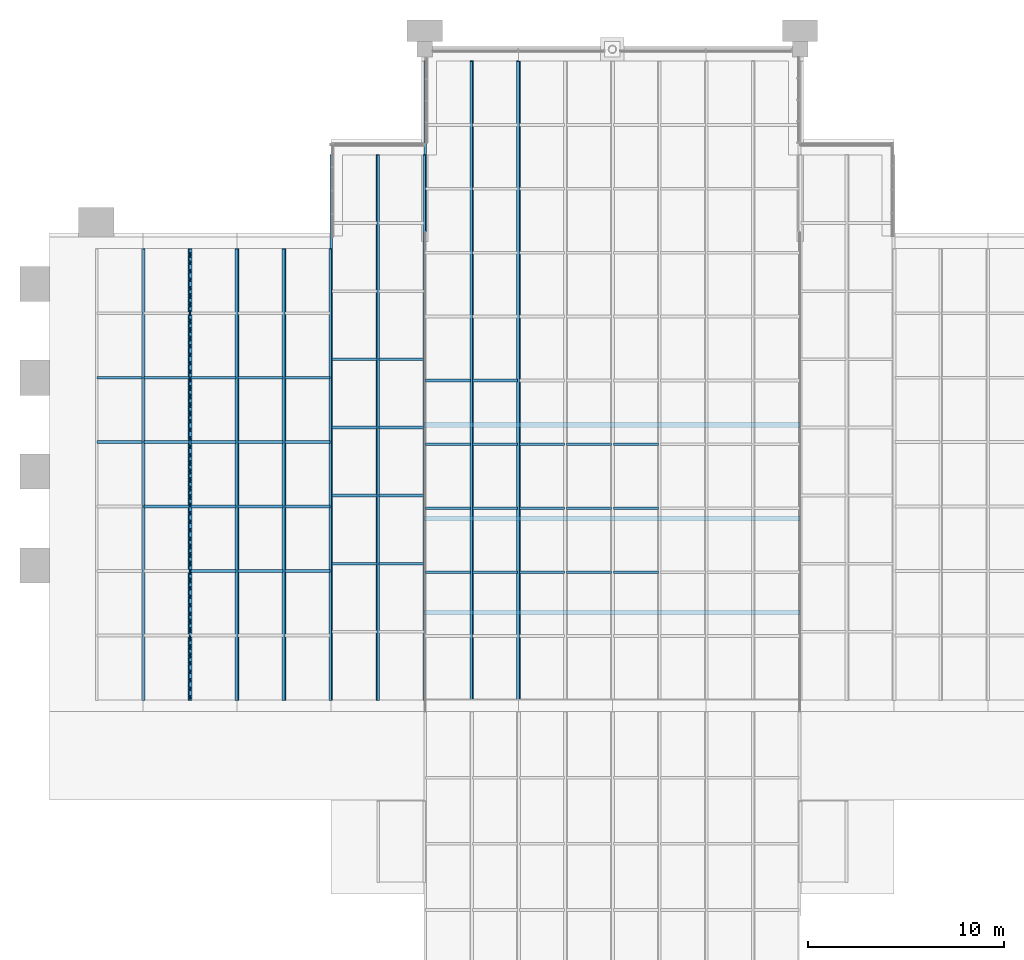
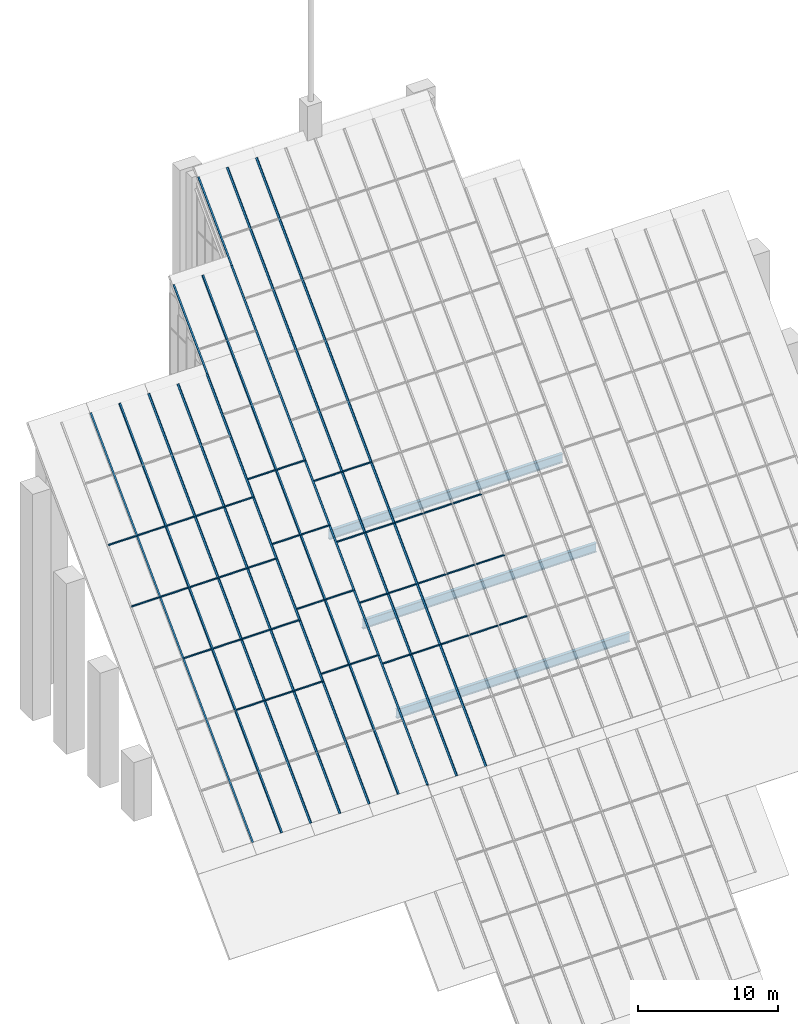
# One storey, part 2 of 25: 59 members, 3 beams, 12 elements without a shape of their own.
"""IFC4 building model written with IfcOpenShell, lengths in metres."""

from ifc_helpers import new_model, si_unit, direction, frame, origin, origin_2d, place, context, subcontext, project, spatial, rectangle, i_section, extrude, material, material_profile, profile_set, type_object, element, aggregate, save


model = new_model("IFC4")

# Units and contexts
model_context = context("Model", 3, precision=1e-05, world=origin(), true_north=direction((0.0, 1.0)))
body_context = subcontext(model_context, "Body", "Model", "MODEL_VIEW")
ifc_project = project(units=[si_unit("LENGTHUNIT", "METRE"), si_unit("AREAUNIT", "SQUARE_METRE"), si_unit("VOLUMEUNIT", "CUBIC_METRE"), si_unit("PLANEANGLEUNIT", "RADIAN"), si_unit("MASSUNIT", "GRAM", prefix="KILO")], contexts=[model_context])

# Site, building, storey
site_placement = place(None, origin())
site = spatial("IfcSite", under=ifc_project, at=site_placement, CompositionType="ELEMENT")
building_placement = place(site_placement, origin())
building = spatial("IfcBuilding", under=site, at=building_placement, Name="Baori Bourse Tower", CompositionType="ELEMENT")
storey_placement = place(building_placement, frame((0.0, 0.0, 378.300048828125)))
storey = spatial("IfcBuildingStorey", under=building, at=storey_placement, Name="Roof", CompositionType="ELEMENT", Elevation=378.300048828125)

# Curtain wall, members
ifc_material_1 = material(Name="Pale anodised aluminium", Category="aluminium")
curtain_wall_type = type_object("IfcCurtainWallType", Name="CW4 Curtain wall", PredefinedType="NOTDEFINED", material=ifc_material_1)
curtain_wall_1_placement = place(storey_placement, origin())
curtain_wall_1 = element("IfcCurtainWall", 1, at=curtain_wall_1_placement, inside=storey, type_object=curtain_wall_type, Name="Curtain wall CW4 roof glazing 2", PredefinedType="NOTDEFINED")
ifc_material_2 = material(Name="Pale anodised aluminium", Category="aluminium")
ifc_material_profile_1 = material_profile(ifc_material_2, rectangle(XDim=0.139892578125, YDim=0.050048828125, at=origin_2d()), Name="Mullion 50x140")
ifc_profile_set_1 = profile_set([ifc_material_profile_1], Name="Pale anodised aluminium")
member_type_1 = type_object("IfcMemberType", Name="CW4 Curtain wall mullion", PredefinedType="MULLION", material=ifc_profile_set_1)
member_1_placement = place(storey_placement, frame((4.824951171875, 14.723388671875, -0.407470703125), z_axis=(0.0, 0.702703210407, 0.711483097539), x_axis=(-1.0, 0.0, 0.0)))
member_1 = element("IfcMember", 2, at=member_1_placement, type_object=member_type_1, Name="Curtain wall CW4 rail 2.1", PredefinedType="MULLION", context=body_context, shape_type="SweptSolid", body=[
    extrude(rectangle(XDim=0.139892578125, YDim=0.050048828125, at=origin_2d()), origin(), (0.0, 0.0, 1.0), 32.83984375),
])
member_2_placement = place(storey_placement, frame((7.175048828125, 14.723388671875, -0.407470703125), z_axis=(0.0, 0.702703210407, 0.711483097539), x_axis=(-1.0, 0.0, 0.0)))
member_2 = element("IfcMember", 3, at=member_2_placement, type_object=member_type_1, Name="Curtain wall CW4 rail 2.2", PredefinedType="MULLION", context=body_context, shape_type="SweptSolid", body=[
    extrude(rectangle(XDim=0.139892578125, YDim=0.050048828125, at=origin_2d()), origin(), (0.0, 0.0, 1.0), 32.83984375),
])

curtain_wall_2_placement = place(storey_placement, origin())
curtain_wall_2 = element("IfcCurtainWall", 4, at=curtain_wall_2_placement, inside=storey, type_object=curtain_wall_type, Name="Curtain wall CW4 roof glazing 3", PredefinedType="NOTDEFINED")
member_3_placement = place(storey_placement, frame((7.22509765625, 14.723388671875, -0.407470703125), z_axis=(0.0, 0.702703210407, 0.711483097539), x_axis=(-1.0, 0.0, 0.0)))
member_3 = element("IfcMember", 5, at=member_3_placement, type_object=member_type_1, Name="Curtain wall CW4 rail 3.1", PredefinedType="MULLION", context=body_context, shape_type="SweptSolid", body=[
    extrude(rectangle(XDim=0.139892578125, YDim=0.050048828125, at=origin_2d()), origin(), (0.0, 0.0, 1.0), 32.83984375),
])
member_4_placement = place(storey_placement, frame((9.574951171875, 14.723388671875, -0.407470703125), z_axis=(0.0, 0.702703210407, 0.711483097539), x_axis=(-1.0, 0.0, 0.0)))
member_4 = element("IfcMember", 6, at=member_4_placement, type_object=member_type_1, Name="Curtain wall CW4 rail 3.2", PredefinedType="MULLION", context=body_context, shape_type="SweptSolid", body=[
    extrude(rectangle(XDim=0.139892578125, YDim=0.050048828125, at=origin_2d()), origin(), (0.0, 0.0, 1.0), 32.83984375),
])

curtain_wall_3_placement = place(storey_placement, origin())
curtain_wall_3 = element("IfcCurtainWall", 7, at=curtain_wall_3_placement, inside=storey, type_object=curtain_wall_type, Name="Curtain wall CW4 roof glazing 4", PredefinedType="NOTDEFINED")
member_5_placement = place(storey_placement, frame((9.625, 14.723388671875, -0.407470703125), z_axis=(0.0, 0.702703210407, 0.711483097539), x_axis=(-1.0, 0.0, 0.0)))
member_5 = element("IfcMember", 8, at=member_5_placement, type_object=member_type_1, Name="Curtain wall CW4 rail 4.1", PredefinedType="MULLION", context=body_context, shape_type="SweptSolid", body=[
    extrude(rectangle(XDim=0.139892578125, YDim=0.050048828125, at=origin_2d()), origin(), (0.0, 0.0, 1.0), 32.83984375),
])
member_6_placement = place(storey_placement, frame((11.97509765625, 14.723388671875, -0.407470703125), z_axis=(0.0, 0.702703210407, 0.711483097539), x_axis=(-1.0, 0.0, 0.0)))
member_6 = element("IfcMember", 9, at=member_6_placement, type_object=member_type_1, Name="Curtain wall CW4 rail 4.2", PredefinedType="MULLION", context=body_context, shape_type="SweptSolid", body=[
    extrude(rectangle(XDim=0.139892578125, YDim=0.050048828125, at=origin_2d()), origin(), (0.0, 0.0, 1.0), 32.83984375),
])

curtain_wall_4_placement = place(storey_placement, origin())
curtain_wall_4 = element("IfcCurtainWall", 10, at=curtain_wall_4_placement, inside=storey, type_object=curtain_wall_type, Name="Curtain wall CW4 roof glazing 5", PredefinedType="NOTDEFINED")
member_7_placement = place(storey_placement, frame((12.02490234375, 14.723388671875, -0.407470703125), z_axis=(0.0, 0.702703210407, 0.711483097539), x_axis=(-1.0, 0.0, 0.0)))
member_7 = element("IfcMember", 11, at=member_7_placement, type_object=member_type_1, Name="Curtain wall CW4 rail 5.1", PredefinedType="MULLION", context=body_context, shape_type="SweptSolid", body=[
    extrude(rectangle(XDim=0.139892578125, YDim=0.050048828125, at=origin_2d()), origin(), (0.0, 0.0, 1.0), 32.83984375),
])
member_8_placement = place(storey_placement, frame((14.375, 14.723388671875, -0.407470703125), z_axis=(0.0, 0.702703210407, 0.711483097539), x_axis=(-1.0, 0.0, 0.0)))
member_8 = element("IfcMember", 12, at=member_8_placement, type_object=member_type_1, Name="Curtain wall CW4 rail 5.2", PredefinedType="MULLION", context=body_context, shape_type="SweptSolid", body=[
    extrude(rectangle(XDim=0.139892578125, YDim=0.050048828125, at=origin_2d()), origin(), (0.0, 0.0, 1.0), 32.83984375),
])

curtain_wall_5_placement = place(storey_placement, origin())
curtain_wall_5 = element("IfcCurtainWall", 13, at=curtain_wall_5_placement, inside=storey, type_object=curtain_wall_type, Name="Curtain wall CW4 roof glazing 6", PredefinedType="NOTDEFINED")
member_9_placement = place(storey_placement, frame((14.425048828125, 14.723388671875, -0.407470703125), z_axis=(0.0, 0.702705220512, 0.711481112234), x_axis=(-1.0, 0.0, 0.0)))
member_9 = element("IfcMember", 14, at=member_9_placement, type_object=member_type_1, Name="Curtain wall CW4 rail 6.1", PredefinedType="MULLION", context=body_context, shape_type="SweptSolid", body=[
    extrude(rectangle(XDim=0.139892578125, YDim=0.050048828125, at=origin_2d()), origin(), (0.0, 0.0, 1.0), 39.670654296875),
])
member_10_placement = place(storey_placement, frame((16.77490234375, 14.723388671875, -0.407470703125), z_axis=(0.0, 0.702705220512, 0.711481112234), x_axis=(-1.0, 0.0, 0.0)))
member_10 = element("IfcMember", 15, at=member_10_placement, type_object=member_type_1, Name="Curtain wall CW4 rail 6.2", PredefinedType="MULLION", context=body_context, shape_type="SweptSolid", body=[
    extrude(rectangle(XDim=0.139892578125, YDim=0.050048828125, at=origin_2d()), origin(), (0.0, 0.0, 1.0), 39.670654296875),
])

curtain_wall_6_placement = place(storey_placement, origin())
curtain_wall_6 = element("IfcCurtainWall", 16, at=curtain_wall_6_placement, inside=storey, type_object=curtain_wall_type, Name="Curtain wall CW4 roof glazing 7", PredefinedType="NOTDEFINED")
member_11_placement = place(storey_placement, frame((16.824951171875, 14.723388671875, -0.407470703125), z_axis=(0.0, 0.702705220512, 0.711481112234), x_axis=(-1.0, 0.0, 0.0)))
member_11 = element("IfcMember", 17, at=member_11_placement, type_object=member_type_1, Name="Curtain wall CW4 rail 7.1", PredefinedType="MULLION", context=body_context, shape_type="SweptSolid", body=[
    extrude(rectangle(XDim=0.139892578125, YDim=0.050048828125, at=origin_2d()), origin(), (0.0, 0.0, 1.0), 39.670654296875),
])
member_12_placement = place(storey_placement, frame((19.175048828125, 14.723388671875, -0.407470703125), z_axis=(0.0, 0.702705220512, 0.711481112234), x_axis=(-1.0, 0.0, 0.0)))
member_12 = element("IfcMember", 18, at=member_12_placement, type_object=member_type_1, Name="Curtain wall CW4 rail 7.2", PredefinedType="MULLION", context=body_context, shape_type="SweptSolid", body=[
    extrude(rectangle(XDim=0.139892578125, YDim=0.050048828125, at=origin_2d()), origin(), (0.0, 0.0, 1.0), 39.670654296875),
])

curtain_wall_7_placement = place(storey_placement, origin())
curtain_wall_7 = element("IfcCurtainWall", 19, at=curtain_wall_7_placement, inside=storey, type_object=curtain_wall_type, Name="Curtain wall CW4 roof glazing 9", PredefinedType="NOTDEFINED")
member_13_placement = place(storey_placement, frame((19.22509765625, 14.723388671875, -0.492919921875), z_axis=(0.0, 0.702701357495, 0.711484927581), x_axis=(-1.0, 0.0, 0.0)))
member_13 = element("IfcMember", 20, at=member_13_placement, type_object=member_type_1, Name="Curtain wall CW4 rail 9.1", PredefinedType="MULLION", context=body_context, shape_type="SweptSolid", body=[
    extrude(rectangle(XDim=0.139892578125, YDim=0.050048828125, at=origin_2d()), origin(), (0.0, 0.0, 1.0), 46.501220703125),
])
member_14_placement = place(storey_placement, frame((21.574951171875, 14.723388671875, -0.492919921875), z_axis=(0.0, 0.702701357495, 0.711484927581), x_axis=(-1.0, 0.0, 0.0)))
member_14 = element("IfcMember", 21, at=member_14_placement, type_object=member_type_1, Name="Curtain wall CW4 rail 9.2", PredefinedType="MULLION", context=body_context, shape_type="SweptSolid", body=[
    extrude(rectangle(XDim=0.139892578125, YDim=0.050048828125, at=origin_2d()), origin(), (0.0, 0.0, 1.0), 46.501220703125),
])

curtain_wall_8_placement = place(storey_placement, origin())
curtain_wall_8 = element("IfcCurtainWall", 22, at=curtain_wall_8_placement, inside=storey, type_object=curtain_wall_type, Name="Curtain wall CW4 roof glazing 11", PredefinedType="NOTDEFINED")
member_15_placement = place(storey_placement, frame((21.625, 14.723388671875, -0.492919921875), z_axis=(0.0, 0.702701357495, 0.711484927581), x_axis=(-1.0, 0.0, 0.0)))
member_15 = element("IfcMember", 23, at=member_15_placement, type_object=member_type_1, Name="Curtain wall CW4 rail 11.1", PredefinedType="MULLION", context=body_context, shape_type="SweptSolid", body=[
    extrude(rectangle(XDim=0.139892578125, YDim=0.050048828125, at=origin_2d()), origin(), (0.0, 0.0, 1.0), 46.501220703125),
])
member_16_placement = place(storey_placement, frame((23.97509765625, 14.723388671875, -0.492919921875), z_axis=(0.0, 0.702701357495, 0.711484927581), x_axis=(-1.0, 0.0, 0.0)))
member_16 = element("IfcMember", 24, at=member_16_placement, type_object=member_type_1, Name="Curtain wall CW4 rail 11.2", PredefinedType="MULLION", context=body_context, shape_type="SweptSolid", body=[
    extrude(rectangle(XDim=0.139892578125, YDim=0.050048828125, at=origin_2d()), origin(), (0.0, 0.0, 1.0), 46.501220703125),
])

# Curtain wall, member
curtain_wall_9_placement = place(storey_placement, origin())
curtain_wall_9 = element("IfcCurtainWall", 25, at=curtain_wall_9_placement, inside=storey, type_object=curtain_wall_type, Name="Curtain wall CW4 roof glazing 13", PredefinedType="NOTDEFINED")
member_17_placement = place(storey_placement, frame((24.02490234375, 14.723388671875, -0.492919921875), z_axis=(0.0, 0.702701357495, 0.711484927581), x_axis=(-1.0, 0.0, 0.0)))
member_17 = element("IfcMember", 26, at=member_17_placement, type_object=member_type_1, Name="Curtain wall CW4 rail 13.1", PredefinedType="MULLION", context=body_context, shape_type="SweptSolid", body=[
    extrude(rectangle(XDim=0.139892578125, YDim=0.050048828125, at=origin_2d()), origin(), (0.0, 0.0, 1.0), 46.501220703125),
])

# Curtain wall, members
curtain_wall_10_placement = place(storey_placement, origin())
curtain_wall_10 = element("IfcCurtainWall", 27, at=curtain_wall_10_placement, inside=storey, type_object=curtain_wall_type, Name="Curtain wall CW4 roof glazing 1", PredefinedType="NOTDEFINED")
ifc_material_3 = material(Name="Pale anodised aluminium", Category="aluminium")
ifc_material_profile_2 = material_profile(ifc_material_3, rectangle(XDim=0.139892578125, YDim=0.054931640625, at=origin_2d()), Name="Transom 55x140")
ifc_profile_set_2 = profile_set([ifc_material_profile_2], Name="Pale anodised aluminium")
member_type_2 = type_object("IfcMemberType", Name="CW4 Curtain wall transom", PredefinedType="USERDEFINED", material=ifc_profile_set_2)
member_18_placement = place(storey_placement, frame((2.449951171875, 27.91015625, 12.94384765625), z_axis=(1.0, 0.0, 0.0), x_axis=(0.0, 1.0, 0.0)))
member_18 = element("IfcMember", 28, at=member_18_placement, type_object=member_type_2, Name="Curtain wall CW4 cross bar 1.4", ObjectType="TRANSOM", PredefinedType="USERDEFINED", context=body_context, shape_type="SweptSolid", body=[
    extrude(rectangle(XDim=0.139892578125, YDim=0.054931640625, at=origin_2d()), origin(), (0.0, 0.0, 1.0), 2.300048828125),
])
member_19_placement = place(storey_placement, frame((2.449951171875, 31.206787109375, 16.28173828125), z_axis=(1.0, 0.0, 0.0), x_axis=(0.0, 1.0, 0.0)))
member_19 = element("IfcMember", 29, at=member_19_placement, type_object=member_type_2, Name="Curtain wall CW4 cross bar 1.5", ObjectType="TRANSOM", PredefinedType="USERDEFINED", context=body_context, shape_type="SweptSolid", body=[
    extrude(rectangle(XDim=0.139892578125, YDim=0.054931640625, at=origin_2d()), origin(), (0.0, 0.0, 1.0), 2.300048828125),
])
aggregate(curtain_wall_10, [member_18, member_19])

# Member
member_20_placement = place(storey_placement, frame((4.85009765625, 24.613525390625, 9.60595703125), z_axis=(1.0, 0.0, 0.0), x_axis=(0.0, 1.0, 0.0)))
member_20 = element("IfcMember", 30, at=member_20_placement, type_object=member_type_2, Name="Curtain wall CW4 cross bar 2.3", ObjectType="TRANSOM", PredefinedType="USERDEFINED", context=body_context, shape_type="SweptSolid", body=[
    extrude(rectangle(XDim=0.139892578125, YDim=0.054931640625, at=origin_2d()), origin(), (0.0, 0.0, 1.0), 2.2998046875),
])

member_21_placement = place(storey_placement, frame((4.85009765625, 27.91015625, 12.94384765625), z_axis=(1.0, 0.0, 0.0), x_axis=(0.0, 1.0, 0.0)))
member_21 = element("IfcMember", 31, at=member_21_placement, type_object=member_type_2, Name="Curtain wall CW4 cross bar 2.4", ObjectType="TRANSOM", PredefinedType="USERDEFINED", context=body_context, shape_type="SweptSolid", body=[
    extrude(rectangle(XDim=0.139892578125, YDim=0.054931640625, at=origin_2d()), origin(), (0.0, 0.0, 1.0), 2.2998046875),
])

member_22_placement = place(storey_placement, frame((4.85009765625, 31.206787109375, 16.28173828125), z_axis=(1.0, 0.0, 0.0), x_axis=(0.0, 1.0, 0.0)))
member_22 = element("IfcMember", 32, at=member_22_placement, type_object=member_type_2, Name="Curtain wall CW4 cross bar 2.5", ObjectType="TRANSOM", PredefinedType="USERDEFINED", context=body_context, shape_type="SweptSolid", body=[
    extrude(rectangle(XDim=0.139892578125, YDim=0.054931640625, at=origin_2d()), origin(), (0.0, 0.0, 1.0), 2.2998046875),
])

aggregate(curtain_wall_1, [member_1, member_2, member_20, member_21, member_22])

member_23_placement = place(storey_placement, frame((7.25, 21.316650390625, 6.26806640625), z_axis=(1.0, 0.0, 0.0), x_axis=(0.0, 1.0, 0.0)))
member_23 = element("IfcMember", 33, at=member_23_placement, type_object=member_type_2, Name="Curtain wall CW4 cross bar 3.2", ObjectType="TRANSOM", PredefinedType="USERDEFINED", context=body_context, shape_type="SweptSolid", body=[
    extrude(rectangle(XDim=0.139892578125, YDim=0.054931640625, at=origin_2d()), origin(), (0.0, 0.0, 1.0), 2.300048828125),
])

member_24_placement = place(storey_placement, frame((7.25, 24.613525390625, 9.60595703125), z_axis=(1.0, 0.0, 0.0), x_axis=(0.0, 1.0, 0.0)))
member_24 = element("IfcMember", 34, at=member_24_placement, type_object=member_type_2, Name="Curtain wall CW4 cross bar 3.3", ObjectType="TRANSOM", PredefinedType="USERDEFINED", context=body_context, shape_type="SweptSolid", body=[
    extrude(rectangle(XDim=0.139892578125, YDim=0.054931640625, at=origin_2d()), origin(), (0.0, 0.0, 1.0), 2.300048828125),
])

member_25_placement = place(storey_placement, frame((7.25, 27.91015625, 12.94384765625), z_axis=(1.0, 0.0, 0.0), x_axis=(0.0, 1.0, 0.0)))
member_25 = element("IfcMember", 35, at=member_25_placement, type_object=member_type_2, Name="Curtain wall CW4 cross bar 3.4", ObjectType="TRANSOM", PredefinedType="USERDEFINED", context=body_context, shape_type="SweptSolid", body=[
    extrude(rectangle(XDim=0.139892578125, YDim=0.054931640625, at=origin_2d()), origin(), (0.0, 0.0, 1.0), 2.300048828125),
])

member_26_placement = place(storey_placement, frame((7.25, 31.206787109375, 16.28173828125), z_axis=(1.0, 0.0, 0.0), x_axis=(0.0, 1.0, 0.0)))
member_26 = element("IfcMember", 36, at=member_26_placement, type_object=member_type_2, Name="Curtain wall CW4 cross bar 3.5", ObjectType="TRANSOM", PredefinedType="USERDEFINED", context=body_context, shape_type="SweptSolid", body=[
    extrude(rectangle(XDim=0.139892578125, YDim=0.054931640625, at=origin_2d()), origin(), (0.0, 0.0, 1.0), 2.300048828125),
])

aggregate(curtain_wall_2, [member_3, member_4, member_23, member_24, member_25, member_26])

member_27_placement = place(storey_placement, frame((9.64990234375, 21.316650390625, 6.26806640625), z_axis=(1.0, 0.0, 0.0), x_axis=(0.0, 1.0, 0.0)))
member_27 = element("IfcMember", 37, at=member_27_placement, type_object=member_type_2, Name="Curtain wall CW4 cross bar 4.2", ObjectType="TRANSOM", PredefinedType="USERDEFINED", context=body_context, shape_type="SweptSolid", body=[
    extrude(rectangle(XDim=0.139892578125, YDim=0.054931640625, at=origin_2d()), origin(), (0.0, 0.0, 1.0), 2.300048828125),
])

member_28_placement = place(storey_placement, frame((9.64990234375, 24.613525390625, 9.60595703125), z_axis=(1.0, 0.0, 0.0), x_axis=(0.0, 1.0, 0.0)))
member_28 = element("IfcMember", 38, at=member_28_placement, type_object=member_type_2, Name="Curtain wall CW4 cross bar 4.3", ObjectType="TRANSOM", PredefinedType="USERDEFINED", context=body_context, shape_type="SweptSolid", body=[
    extrude(rectangle(XDim=0.139892578125, YDim=0.054931640625, at=origin_2d()), origin(), (0.0, 0.0, 1.0), 2.300048828125),
])

member_29_placement = place(storey_placement, frame((9.64990234375, 27.91015625, 12.94384765625), z_axis=(1.0, 0.0, 0.0), x_axis=(0.0, 1.0, 0.0)))
member_29 = element("IfcMember", 39, at=member_29_placement, type_object=member_type_2, Name="Curtain wall CW4 cross bar 4.4", ObjectType="TRANSOM", PredefinedType="USERDEFINED", context=body_context, shape_type="SweptSolid", body=[
    extrude(rectangle(XDim=0.139892578125, YDim=0.054931640625, at=origin_2d()), origin(), (0.0, 0.0, 1.0), 2.300048828125),
])

member_30_placement = place(storey_placement, frame((9.64990234375, 31.206787109375, 16.28173828125), z_axis=(1.0, 0.0, 0.0), x_axis=(0.0, 1.0, 0.0)))
member_30 = element("IfcMember", 40, at=member_30_placement, type_object=member_type_2, Name="Curtain wall CW4 cross bar 4.5", ObjectType="TRANSOM", PredefinedType="USERDEFINED", context=body_context, shape_type="SweptSolid", body=[
    extrude(rectangle(XDim=0.139892578125, YDim=0.054931640625, at=origin_2d()), origin(), (0.0, 0.0, 1.0), 2.300048828125),
])

aggregate(curtain_wall_3, [member_5, member_6, member_27, member_28, member_29, member_30])

member_31_placement = place(storey_placement, frame((12.050048828125, 21.316650390625, 6.26806640625), z_axis=(1.0, 0.0, 0.0), x_axis=(0.0, 1.0, 0.0)))
member_31 = element("IfcMember", 41, at=member_31_placement, type_object=member_type_2, Name="Curtain wall CW4 cross bar 5.2", ObjectType="TRANSOM", PredefinedType="USERDEFINED", context=body_context, shape_type="SweptSolid", body=[
    extrude(rectangle(XDim=0.139892578125, YDim=0.054931640625, at=origin_2d()), origin(), (0.0, 0.0, 1.0), 2.300048828125),
])

member_32_placement = place(storey_placement, frame((12.050048828125, 24.613525390625, 9.60595703125), z_axis=(1.0, 0.0, 0.0), x_axis=(0.0, 1.0, 0.0)))
member_32 = element("IfcMember", 42, at=member_32_placement, type_object=member_type_2, Name="Curtain wall CW4 cross bar 5.3", ObjectType="TRANSOM", PredefinedType="USERDEFINED", context=body_context, shape_type="SweptSolid", body=[
    extrude(rectangle(XDim=0.139892578125, YDim=0.054931640625, at=origin_2d()), origin(), (0.0, 0.0, 1.0), 2.300048828125),
])

member_33_placement = place(storey_placement, frame((12.050048828125, 27.91015625, 12.94384765625), z_axis=(1.0, 0.0, 0.0), x_axis=(0.0, 1.0, 0.0)))
member_33 = element("IfcMember", 43, at=member_33_placement, type_object=member_type_2, Name="Curtain wall CW4 cross bar 5.4", ObjectType="TRANSOM", PredefinedType="USERDEFINED", context=body_context, shape_type="SweptSolid", body=[
    extrude(rectangle(XDim=0.139892578125, YDim=0.054931640625, at=origin_2d()), origin(), (0.0, 0.0, 1.0), 2.300048828125),
])

member_34_placement = place(storey_placement, frame((12.050048828125, 31.206787109375, 16.28173828125), z_axis=(1.0, 0.0, 0.0), x_axis=(0.0, 1.0, 0.0)))
member_34 = element("IfcMember", 44, at=member_34_placement, type_object=member_type_2, Name="Curtain wall CW4 cross bar 5.5", ObjectType="TRANSOM", PredefinedType="USERDEFINED", context=body_context, shape_type="SweptSolid", body=[
    extrude(rectangle(XDim=0.139892578125, YDim=0.054931640625, at=origin_2d()), origin(), (0.0, 0.0, 1.0), 2.300048828125),
])

aggregate(curtain_wall_4, [member_7, member_8, member_31, member_32, member_33, member_34])

member_35_placement = place(storey_placement, frame((14.449951171875, 21.692626953125, 6.648681640625), z_axis=(1.0, 0.0, 0.0), x_axis=(0.0, 1.0, 0.0)))
member_35 = element("IfcMember", 45, at=member_35_placement, type_object=member_type_2, Name="Curtain wall CW4 cross bar 6.2", ObjectType="TRANSOM", PredefinedType="USERDEFINED", context=body_context, shape_type="SweptSolid", body=[
    extrude(rectangle(XDim=0.139892578125, YDim=0.054931640625, at=origin_2d()), origin(), (0.0, 0.0, 1.0), 2.300048828125),
])

member_36_placement = place(storey_placement, frame((14.449951171875, 25.17724609375, 10.1767578125), z_axis=(1.0, 0.0, 0.0), x_axis=(0.0, 1.0, 0.0)))
member_36 = element("IfcMember", 46, at=member_36_placement, type_object=member_type_2, Name="Curtain wall CW4 cross bar 6.3", ObjectType="TRANSOM", PredefinedType="USERDEFINED", context=body_context, shape_type="SweptSolid", body=[
    extrude(rectangle(XDim=0.139892578125, YDim=0.054931640625, at=origin_2d()), origin(), (0.0, 0.0, 1.0), 2.300048828125),
])

member_37_placement = place(storey_placement, frame((14.449951171875, 28.66162109375, 13.704833984375), z_axis=(1.0, 0.0, 0.0), x_axis=(0.0, 1.0, 0.0)))
member_37 = element("IfcMember", 47, at=member_37_placement, type_object=member_type_2, Name="Curtain wall CW4 cross bar 6.4", ObjectType="TRANSOM", PredefinedType="USERDEFINED", context=body_context, shape_type="SweptSolid", body=[
    extrude(rectangle(XDim=0.139892578125, YDim=0.054931640625, at=origin_2d()), origin(), (0.0, 0.0, 1.0), 2.300048828125),
])

member_38_placement = place(storey_placement, frame((14.449951171875, 32.146240234375, 17.233154296875), z_axis=(1.0, 0.0, 0.0), x_axis=(0.0, 1.0, 0.0)))
member_38 = element("IfcMember", 48, at=member_38_placement, type_object=member_type_2, Name="Curtain wall CW4 cross bar 6.5", ObjectType="TRANSOM", PredefinedType="USERDEFINED", context=body_context, shape_type="SweptSolid", body=[
    extrude(rectangle(XDim=0.139892578125, YDim=0.054931640625, at=origin_2d()), origin(), (0.0, 0.0, 1.0), 2.300048828125),
])

aggregate(curtain_wall_5, [member_9, member_10, member_35, member_36, member_37, member_38])

member_39_placement = place(storey_placement, frame((16.85009765625, 21.692626953125, 6.648681640625), z_axis=(1.0, 0.0, 0.0), x_axis=(0.0, 1.0, 0.0)))
member_39 = element("IfcMember", 49, at=member_39_placement, type_object=member_type_2, Name="Curtain wall CW4 cross bar 7.2", ObjectType="TRANSOM", PredefinedType="USERDEFINED", context=body_context, shape_type="SweptSolid", body=[
    extrude(rectangle(XDim=0.139892578125, YDim=0.054931640625, at=origin_2d()), origin(), (0.0, 0.0, 1.0), 2.2998046875),
])

member_40_placement = place(storey_placement, frame((16.85009765625, 25.17724609375, 10.1767578125), z_axis=(1.0, 0.0, 0.0), x_axis=(0.0, 1.0, 0.0)))
member_40 = element("IfcMember", 50, at=member_40_placement, type_object=member_type_2, Name="Curtain wall CW4 cross bar 7.3", ObjectType="TRANSOM", PredefinedType="USERDEFINED", context=body_context, shape_type="SweptSolid", body=[
    extrude(rectangle(XDim=0.139892578125, YDim=0.054931640625, at=origin_2d()), origin(), (0.0, 0.0, 1.0), 2.2998046875),
])

member_41_placement = place(storey_placement, frame((16.85009765625, 28.66162109375, 13.704833984375), z_axis=(1.0, 0.0, 0.0), x_axis=(0.0, 1.0, 0.0)))
member_41 = element("IfcMember", 51, at=member_41_placement, type_object=member_type_2, Name="Curtain wall CW4 cross bar 7.4", ObjectType="TRANSOM", PredefinedType="USERDEFINED", context=body_context, shape_type="SweptSolid", body=[
    extrude(rectangle(XDim=0.139892578125, YDim=0.054931640625, at=origin_2d()), origin(), (0.0, 0.0, 1.0), 2.2998046875),
])

member_42_placement = place(storey_placement, frame((16.85009765625, 32.146240234375, 17.233154296875), z_axis=(1.0, 0.0, 0.0), x_axis=(0.0, 1.0, 0.0)))
member_42 = element("IfcMember", 52, at=member_42_placement, type_object=member_type_2, Name="Curtain wall CW4 cross bar 7.5", ObjectType="TRANSOM", PredefinedType="USERDEFINED", context=body_context, shape_type="SweptSolid", body=[
    extrude(rectangle(XDim=0.139892578125, YDim=0.054931640625, at=origin_2d()), origin(), (0.0, 0.0, 1.0), 2.2998046875),
])

aggregate(curtain_wall_6, [member_11, member_12, member_39, member_40, member_41, member_42])

member_43_placement = place(storey_placement, frame((19.25, 21.2587890625, 6.1240234375), z_axis=(1.0, 0.0, 0.0), x_axis=(0.0, 1.0, 0.0)))
member_43 = element("IfcMember", 53, at=member_43_placement, type_object=member_type_2, Name="Curtain wall CW4 cross bar 9.2", ObjectType="TRANSOM", PredefinedType="USERDEFINED", context=body_context, shape_type="SweptSolid", body=[
    extrude(rectangle(XDim=0.139892578125, YDim=0.054931640625, at=origin_2d()), origin(), (0.0, 0.0, 1.0), 2.300048828125),
])

member_44_placement = place(storey_placement, frame((19.25, 24.5263671875, 9.4326171875), z_axis=(1.0, 0.0, 0.0), x_axis=(0.0, 1.0, 0.0)))
member_44 = element("IfcMember", 54, at=member_44_placement, type_object=member_type_2, Name="Curtain wall CW4 cross bar 9.3", ObjectType="TRANSOM", PredefinedType="USERDEFINED", context=body_context, shape_type="SweptSolid", body=[
    extrude(rectangle(XDim=0.139892578125, YDim=0.054931640625, at=origin_2d()), origin(), (0.0, 0.0, 1.0), 2.300048828125),
])

member_45_placement = place(storey_placement, frame((19.25, 27.794189453125, 12.740966796875), z_axis=(1.0, 0.0, 0.0), x_axis=(0.0, 1.0, 0.0)))
member_45 = element("IfcMember", 55, at=member_45_placement, type_object=member_type_2, Name="Curtain wall CW4 cross bar 9.4", ObjectType="TRANSOM", PredefinedType="USERDEFINED", context=body_context, shape_type="SweptSolid", body=[
    extrude(rectangle(XDim=0.139892578125, YDim=0.054931640625, at=origin_2d()), origin(), (0.0, 0.0, 1.0), 2.300048828125),
])

member_46_placement = place(storey_placement, frame((19.25, 31.061767578125, 16.049560546875), z_axis=(1.0, 0.0, 0.0), x_axis=(0.0, 1.0, 0.0)))
member_46 = element("IfcMember", 56, at=member_46_placement, type_object=member_type_2, Name="Curtain wall CW4 cross bar 9.5", ObjectType="TRANSOM", PredefinedType="USERDEFINED", context=body_context, shape_type="SweptSolid", body=[
    extrude(rectangle(XDim=0.139892578125, YDim=0.054931640625, at=origin_2d()), origin(), (0.0, 0.0, 1.0), 2.300048828125),
])

aggregate(curtain_wall_7, [member_13, member_14, member_43, member_44, member_45, member_46])

member_47_placement = place(storey_placement, frame((21.64990234375, 21.2587890625, 6.1240234375), z_axis=(1.0, 0.0, 0.0), x_axis=(0.0, 1.0, 0.0)))
member_47 = element("IfcMember", 57, at=member_47_placement, type_object=member_type_2, Name="Curtain wall CW4 cross bar 11.2", ObjectType="TRANSOM", PredefinedType="USERDEFINED", context=body_context, shape_type="SweptSolid", body=[
    extrude(rectangle(XDim=0.139892578125, YDim=0.054931640625, at=origin_2d()), origin(), (0.0, 0.0, 1.0), 2.300048828125),
])

member_48_placement = place(storey_placement, frame((21.64990234375, 24.5263671875, 9.4326171875), z_axis=(1.0, 0.0, 0.0), x_axis=(0.0, 1.0, 0.0)))
member_48 = element("IfcMember", 58, at=member_48_placement, type_object=member_type_2, Name="Curtain wall CW4 cross bar 11.3", ObjectType="TRANSOM", PredefinedType="USERDEFINED", context=body_context, shape_type="SweptSolid", body=[
    extrude(rectangle(XDim=0.139892578125, YDim=0.054931640625, at=origin_2d()), origin(), (0.0, 0.0, 1.0), 2.300048828125),
])

member_49_placement = place(storey_placement, frame((21.64990234375, 27.794189453125, 12.740966796875), z_axis=(1.0, 0.0, 0.0), x_axis=(0.0, 1.0, 0.0)))
member_49 = element("IfcMember", 59, at=member_49_placement, type_object=member_type_2, Name="Curtain wall CW4 cross bar 11.4", ObjectType="TRANSOM", PredefinedType="USERDEFINED", context=body_context, shape_type="SweptSolid", body=[
    extrude(rectangle(XDim=0.139892578125, YDim=0.054931640625, at=origin_2d()), origin(), (0.0, 0.0, 1.0), 2.300048828125),
])

member_50_placement = place(storey_placement, frame((21.64990234375, 31.061767578125, 16.049560546875), z_axis=(1.0, 0.0, 0.0), x_axis=(0.0, 1.0, 0.0)))
member_50 = element("IfcMember", 60, at=member_50_placement, type_object=member_type_2, Name="Curtain wall CW4 cross bar 11.5", ObjectType="TRANSOM", PredefinedType="USERDEFINED", context=body_context, shape_type="SweptSolid", body=[
    extrude(rectangle(XDim=0.139892578125, YDim=0.054931640625, at=origin_2d()), origin(), (0.0, 0.0, 1.0), 2.300048828125),
])

aggregate(curtain_wall_8, [member_15, member_16, member_47, member_48, member_49, member_50])

member_51_placement = place(storey_placement, frame((24.050048828125, 21.2587890625, 6.1240234375), z_axis=(1.0, 0.0, 0.0), x_axis=(0.0, 1.0, 0.0)))
member_51 = element("IfcMember", 61, at=member_51_placement, type_object=member_type_2, Name="Curtain wall CW4 cross bar 13.2", ObjectType="TRANSOM", PredefinedType="USERDEFINED", context=body_context, shape_type="SweptSolid", body=[
    extrude(rectangle(XDim=0.139892578125, YDim=0.054931640625, at=origin_2d()), origin(), (0.0, 0.0, 1.0), 2.300048828125),
])

member_52_placement = place(storey_placement, frame((24.050048828125, 24.5263671875, 9.4326171875), z_axis=(1.0, 0.0, 0.0), x_axis=(0.0, 1.0, 0.0)))
member_52 = element("IfcMember", 62, at=member_52_placement, type_object=member_type_2, Name="Curtain wall CW4 cross bar 13.3", ObjectType="TRANSOM", PredefinedType="USERDEFINED", context=body_context, shape_type="SweptSolid", body=[
    extrude(rectangle(XDim=0.139892578125, YDim=0.054931640625, at=origin_2d()), origin(), (0.0, 0.0, 1.0), 2.300048828125),
])

member_53_placement = place(storey_placement, frame((24.050048828125, 27.794189453125, 12.740966796875), z_axis=(1.0, 0.0, 0.0), x_axis=(0.0, 1.0, 0.0)))
member_53 = element("IfcMember", 63, at=member_53_placement, type_object=member_type_2, Name="Curtain wall CW4 cross bar 13.4", ObjectType="TRANSOM", PredefinedType="USERDEFINED", context=body_context, shape_type="SweptSolid", body=[
    extrude(rectangle(XDim=0.139892578125, YDim=0.054931640625, at=origin_2d()), origin(), (0.0, 0.0, 1.0), 2.300048828125),
])

aggregate(curtain_wall_9, [member_17, member_51, member_52, member_53])

# Curtain wall, members
curtain_wall_11_placement = place(storey_placement, origin())
curtain_wall_11 = element("IfcCurtainWall", 64, at=curtain_wall_11_placement, inside=storey, type_object=curtain_wall_type, Name="Curtain wall CW4 roof glazing 15", PredefinedType="NOTDEFINED")
member_54_placement = place(storey_placement, frame((26.449951171875, 21.2587890625, 6.1240234375), z_axis=(1.0, 0.0, 0.0), x_axis=(0.0, 1.0, 0.0)))
member_54 = element("IfcMember", 65, at=member_54_placement, type_object=member_type_2, Name="Curtain wall CW4 cross bar 15.2", ObjectType="TRANSOM", PredefinedType="USERDEFINED", context=body_context, shape_type="SweptSolid", body=[
    extrude(rectangle(XDim=0.139892578125, YDim=0.054931640625, at=origin_2d()), origin(), (0.0, 0.0, 1.0), 2.300048828125),
])
member_55_placement = place(storey_placement, frame((26.449951171875, 24.5263671875, 9.4326171875), z_axis=(1.0, 0.0, 0.0), x_axis=(0.0, 1.0, 0.0)))
member_55 = element("IfcMember", 66, at=member_55_placement, type_object=member_type_2, Name="Curtain wall CW4 cross bar 15.3", ObjectType="TRANSOM", PredefinedType="USERDEFINED", context=body_context, shape_type="SweptSolid", body=[
    extrude(rectangle(XDim=0.139892578125, YDim=0.054931640625, at=origin_2d()), origin(), (0.0, 0.0, 1.0), 2.300048828125),
])
member_56_placement = place(storey_placement, frame((26.449951171875, 27.794189453125, 12.740966796875), z_axis=(1.0, 0.0, 0.0), x_axis=(0.0, 1.0, 0.0)))
member_56 = element("IfcMember", 67, at=member_56_placement, type_object=member_type_2, Name="Curtain wall CW4 cross bar 15.4", ObjectType="TRANSOM", PredefinedType="USERDEFINED", context=body_context, shape_type="SweptSolid", body=[
    extrude(rectangle(XDim=0.139892578125, YDim=0.054931640625, at=origin_2d()), origin(), (0.0, 0.0, 1.0), 2.300048828125),
])
aggregate(curtain_wall_11, [member_54, member_55, member_56])

curtain_wall_12_placement = place(storey_placement, origin())
curtain_wall_12 = element("IfcCurtainWall", 68, at=curtain_wall_12_placement, inside=storey, type_object=curtain_wall_type, Name="Curtain wall CW4 roof glazing 17", PredefinedType="NOTDEFINED")
member_57_placement = place(storey_placement, frame((28.85009765625, 21.2587890625, 6.1240234375), z_axis=(1.0, 0.0, 0.0), x_axis=(0.0, 1.0, 0.0)))
member_57 = element("IfcMember", 69, at=member_57_placement, type_object=member_type_2, Name="Curtain wall CW4 cross bar 17.2", ObjectType="TRANSOM", PredefinedType="USERDEFINED", context=body_context, shape_type="SweptSolid", body=[
    extrude(rectangle(XDim=0.139892578125, YDim=0.054931640625, at=origin_2d()), origin(), (0.0, 0.0, 1.0), 2.2998046875),
])
member_58_placement = place(storey_placement, frame((28.85009765625, 24.5263671875, 9.4326171875), z_axis=(1.0, 0.0, 0.0), x_axis=(0.0, 1.0, 0.0)))
member_58 = element("IfcMember", 70, at=member_58_placement, type_object=member_type_2, Name="Curtain wall CW4 cross bar 17.3", ObjectType="TRANSOM", PredefinedType="USERDEFINED", context=body_context, shape_type="SweptSolid", body=[
    extrude(rectangle(XDim=0.139892578125, YDim=0.054931640625, at=origin_2d()), origin(), (0.0, 0.0, 1.0), 2.2998046875),
])
member_59_placement = place(storey_placement, frame((28.85009765625, 27.794189453125, 12.740966796875), z_axis=(1.0, 0.0, 0.0), x_axis=(0.0, 1.0, 0.0)))
member_59 = element("IfcMember", 71, at=member_59_placement, type_object=member_type_2, Name="Curtain wall CW4 cross bar 17.4", ObjectType="TRANSOM", PredefinedType="USERDEFINED", context=body_context, shape_type="SweptSolid", body=[
    extrude(rectangle(XDim=0.139892578125, YDim=0.054931640625, at=origin_2d()), origin(), (0.0, 0.0, 1.0), 2.2998046875),
])
aggregate(curtain_wall_12, [member_57, member_58, member_59])

# Beams
ifc_material_4 = material(Name="Steel A992 Gr 50", Category="steel")
ifc_material_profile_3 = material_profile(ifc_material_4, i_section(OverallWidth=0.2666015625, OverallDepth=0.76953125, WebThickness=0.015625, FlangeThickness=0.025390625, at=origin_2d()), Name="W30x132")
ifc_profile_set_3 = profile_set([ifc_material_profile_3], Name="Steel A992 Gr 50")
beam_type = type_object("IfcBeamType", Name="Roof purlin W30x132", PredefinedType="BEAM", material=ifc_profile_set_3)
for number, where, z_axis, x_axis, name in (
    (72, (19.199951171875, 19.199951171875, 3.059326171875), (1.0, 0.0, 0.0), (0.0, 1.0, 0.0), "Roof purlin Roof"),
    (73, (19.199951171875, 24.0, 7.91943359375), (1.0, 0.0, 0.0), (0.0, 1.0, 0.0), "Roof purlin Roof"),
    (74, (19.199951171875, 28.800048828125, 12.779296875), (1.0, 0.0, 0.0), (0.0, 1.0, 0.0), "Roof purlin Roof"),
):
    element("IfcBeam", number, at=place(storey_placement, frame(where, z_axis=z_axis, x_axis=x_axis)), inside=storey, type_object=beam_type, Name=name, PredefinedType="BEAM", context=body_context, shape_type="SweptSolid", body=[
        extrude(i_section(OverallWidth=0.2666015625, OverallDepth=0.76953125, WebThickness=0.015625, FlangeThickness=0.025390625, at=origin_2d()), origin(), (0.0, 0.0, 1.0), 19.199951171875),
    ])

save(model, "model.ifc")
